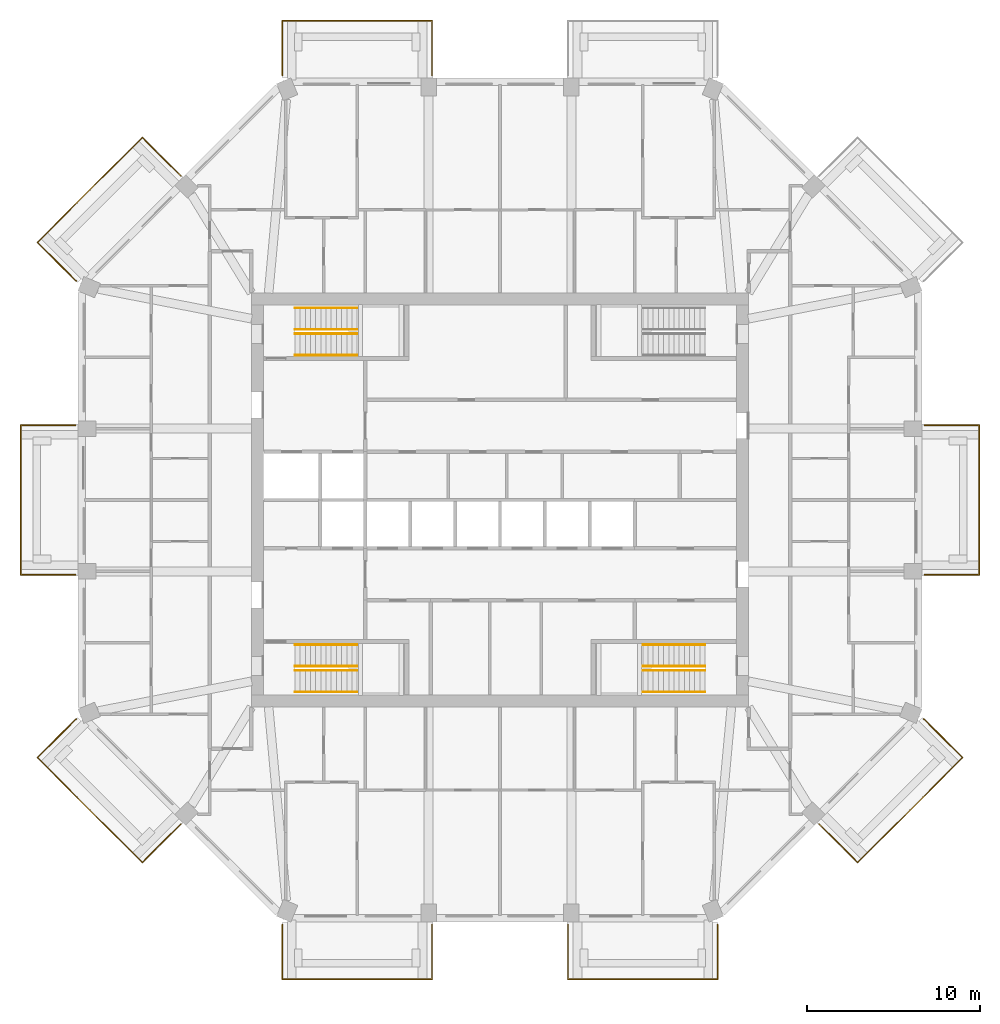
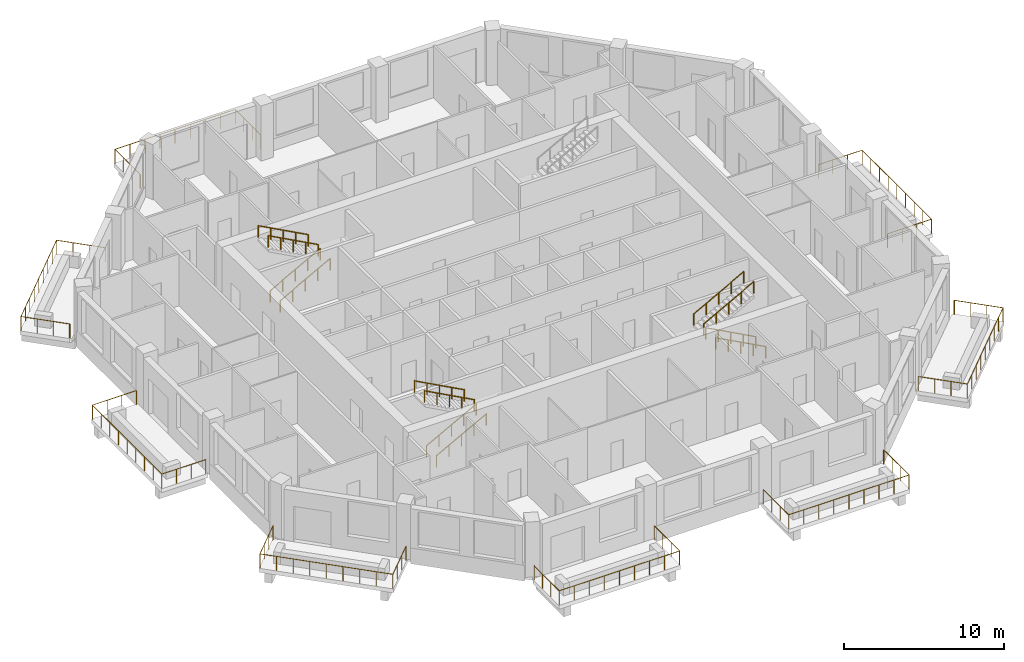
# One storey, part 11 of 12: 20 railings.
"""IFC4 building model written with IfcOpenShell, lengths in metres."""

from ifc_helpers import new_model, si_unit, direction, frame, origin, origin_2d, place, context, subcontext, project, spatial, circle, extrude, material, constituent, constituent_set, type_object, element, save


model = new_model("IFC4")

# Units and contexts
model_context = context("Model", 3, precision=1e-05, world=origin(), true_north=direction((0.0, 1.0)))
body_context = subcontext(model_context, "Body", "Model", "MODEL_VIEW")
ifc_project = project(units=[si_unit("LENGTHUNIT", "METRE"), si_unit("AREAUNIT", "SQUARE_METRE"), si_unit("VOLUMEUNIT", "CUBIC_METRE"), si_unit("PLANEANGLEUNIT", "RADIAN"), si_unit("MASSUNIT", "GRAM", prefix="KILO")], contexts=[model_context])

# Site, building, storey
site_placement = place(None, origin())
site = spatial("IfcSite", under=ifc_project, at=site_placement, CompositionType="ELEMENT")
building_placement = place(site_placement, origin())
building = spatial("IfcBuilding", under=site, at=building_placement, Name="Msitu Wima Residences", CompositionType="ELEMENT")
storey_placement = place(building_placement, frame((0.0, 0.0, 174.89990234375)))
storey = spatial("IfcBuildingStorey", under=building, at=storey_placement, Name="L40", CompositionType="ELEMENT", Elevation=174.89990234375)

# Railings
ifc_material_1 = material(Name="Steel S355", Category="steel")
ifc_constituent_1 = constituent(ifc_material_1, Name="Steel S355")
ifc_material_2 = material(Name="Weathering patina")
ifc_constituent_2 = constituent(ifc_material_2, Name="Weathering patina")
ifc_constituent_set_1 = constituent_set(constituents=[ifc_constituent_1, ifc_constituent_2], Name="Steel S355")
railing_type_1 = type_object("IfcRailingType", Name="Balcony guard GR1100", PredefinedType="GUARDRAIL", material=ifc_constituent_set_1)
railing_1_placement = place(storey_placement, frame((24.580078125, 4.337158203125, 0.0)))
element("IfcRailing", 1, at=railing_1_placement, inside=storey, type_object=railing_type_1, Name="Balcony guard E1 L40", PredefinedType="GUARDRAIL", context=body_context, shape_type="SweptSolid", body=[
    extrude(circle(Radius=0.02392578125, at=origin_2d()), frame((0.0, 0.0, 1.076171875), z_axis=(1.0, 0.0, 0.0), x_axis=(0.0, 1.0, 0.0)), (0.0, 0.0, 1.0), 3.169921875),
    extrude(circle(Radius=0.02392578125, at=origin_2d()), frame((3.169921875, 0.0, 1.076171875), z_axis=(0.0, -1.0, 0.0), x_axis=(1.0, 0.0, 0.0)), (0.0, 0.0, 1.0), 8.67431640625),
    extrude(circle(Radius=0.02392578125, at=origin_2d()), frame((3.169921875, -8.67431640625, 1.076171875), z_axis=(-1.0, 0.0, 0.0), x_axis=(0.0, -1.0, 0.0)), (0.0, 0.0, 1.0), 3.169921875),
    extrude(circle(Radius=0.02099609375, at=origin_2d()), origin(), (0.0, 0.0, 1.0), 1.052001953125),
    extrude(circle(Radius=0.02099609375, at=origin_2d()), frame((1.056640625, 0.0, 0.0)), (0.0, 0.0, 1.0), 1.052001953125),
    extrude(circle(Radius=0.02099609375, at=origin_2d()), frame((2.11328125, 0.0, 0.0)), (0.0, 0.0, 1.0), 1.052001953125),
    extrude(circle(Radius=0.02099609375, at=origin_2d()), frame((3.169921875, 0.0, 0.0)), (0.0, 0.0, 1.0), 1.052001953125),
    extrude(circle(Radius=0.02099609375, at=origin_2d()), frame((3.169921875, -1.084228515625, 0.0)), (0.0, 0.0, 1.0), 1.052001953125),
    extrude(circle(Radius=0.02099609375, at=origin_2d()), frame((3.169921875, -2.16845703125, 0.0)), (0.0, 0.0, 1.0), 1.052001953125),
    extrude(circle(Radius=0.02099609375, at=origin_2d()), frame((3.169921875, -3.2529296875, 0.0)), (0.0, 0.0, 1.0), 1.052001953125),
    extrude(circle(Radius=0.02099609375, at=origin_2d()), frame((3.169921875, -4.337158203125, 0.0)), (0.0, 0.0, 1.0), 1.052001953125),
    extrude(circle(Radius=0.02099609375, at=origin_2d()), frame((3.169921875, -5.42138671875, 0.0)), (0.0, 0.0, 1.0), 1.052001953125),
    extrude(circle(Radius=0.02099609375, at=origin_2d()), frame((3.169921875, -6.505859375, 0.0)), (0.0, 0.0, 1.0), 1.052001953125),
    extrude(circle(Radius=0.02099609375, at=origin_2d()), frame((3.169921875, -7.590087890625, 0.0)), (0.0, 0.0, 1.0), 1.052001953125),
    extrude(circle(Radius=0.02099609375, at=origin_2d()), frame((3.169921875, -8.67431640625, 0.0)), (0.0, 0.0, 1.0), 1.052001953125),
    extrude(circle(Radius=0.02099609375, at=origin_2d()), frame((2.11328125, -8.67431640625, 0.0)), (0.0, 0.0, 1.0), 1.052001953125),
    extrude(circle(Radius=0.02099609375, at=origin_2d()), frame((1.056640625, -8.67431640625, 0.0)), (0.0, 0.0, 1.0), 1.052001953125),
    extrude(circle(Radius=0.02099609375, at=origin_2d()), frame((0.0, -8.67431640625, 0.0)), (0.0, 0.0, 1.0), 1.052001953125),
])
railing_2_placement = place(storey_placement, frame((-12.597900390625, 24.580078125, 0.0)))
element("IfcRailing", 2, at=railing_2_placement, inside=storey, type_object=railing_type_1, Name="Balcony guard N2 L40", PredefinedType="GUARDRAIL", context=body_context, shape_type="SweptSolid", body=[
    extrude(circle(Radius=0.02392578125, at=origin_2d()), frame((0.0, 0.0, 1.076171875), z_axis=(-0.384136806859, 0.923276184907, 0.0), x_axis=(-0.923276184907, -0.384136806859, 0.0)), (0.0, 0.0, 1.0), 0.0361328125),
    extrude(circle(Radius=0.02392578125, at=origin_2d()), frame((-0.013916015625, 0.033447265625, 1.076171875), z_axis=(0.0, 1.0, 0.0), x_axis=(-1.0, 0.0, 0.0)), (0.0, 0.0, 1.0), 3.136474609375),
    extrude(circle(Radius=0.02392578125, at=origin_2d()), frame((-0.013916015625, 3.169921875, 1.076171875), z_axis=(1.0, 0.0, 0.0), x_axis=(0.0, 1.0, 0.0)), (0.0, 0.0, 1.0), 8.674560546875),
    extrude(circle(Radius=0.02392578125, at=origin_2d()), frame((8.66064453125, 3.169921875, 1.076171875), z_axis=(0.0, -1.0, 0.0), x_axis=(1.0, 0.0, 0.0)), (0.0, 0.0, 1.0), 3.169921875),
    extrude(circle(Radius=0.02099609375, at=origin_2d()), origin(), (0.0, 0.0, 1.0), 1.052001953125),
    extrude(circle(Radius=0.02099609375, at=origin_2d()), frame((-0.013916015625, 0.033447265625, 0.0)), (0.0, 0.0, 1.0), 1.052001953125),
    extrude(circle(Radius=0.02099609375, at=origin_2d()), frame((-0.013916015625, 1.078857421875, 0.0)), (0.0, 0.0, 1.0), 1.052001953125),
    extrude(circle(Radius=0.02099609375, at=origin_2d()), frame((-0.013916015625, 2.12451171875, 0.0)), (0.0, 0.0, 1.0), 1.052001953125),
    extrude(circle(Radius=0.02099609375, at=origin_2d()), frame((-0.013916015625, 3.169921875, 0.0)), (0.0, 0.0, 1.0), 1.052001953125),
    extrude(circle(Radius=0.02099609375, at=origin_2d()), frame((1.0703125, 3.169921875, 0.0)), (0.0, 0.0, 1.0), 1.052001953125),
    extrude(circle(Radius=0.02099609375, at=origin_2d()), frame((2.15478515625, 3.169921875, 0.0)), (0.0, 0.0, 1.0), 1.052001953125),
    extrude(circle(Radius=0.02099609375, at=origin_2d()), frame((3.239013671875, 3.169921875, 0.0)), (0.0, 0.0, 1.0), 1.052001953125),
    extrude(circle(Radius=0.02099609375, at=origin_2d()), frame((4.3232421875, 3.169921875, 0.0)), (0.0, 0.0, 1.0), 1.052001953125),
    extrude(circle(Radius=0.02099609375, at=origin_2d()), frame((5.40771484375, 3.169921875, 0.0)), (0.0, 0.0, 1.0), 1.052001953125),
    extrude(circle(Radius=0.02099609375, at=origin_2d()), frame((6.491943359375, 3.169921875, 0.0)), (0.0, 0.0, 1.0), 1.052001953125),
    extrude(circle(Radius=0.02099609375, at=origin_2d()), frame((7.576416015625, 3.169921875, 0.0)), (0.0, 0.0, 1.0), 1.052001953125),
    extrude(circle(Radius=0.02099609375, at=origin_2d()), frame((8.66064453125, 3.169921875, 0.0)), (0.0, 0.0, 1.0), 1.052001953125),
    extrude(circle(Radius=0.02099609375, at=origin_2d()), frame((8.66064453125, 2.11328125, 0.0)), (0.0, 0.0, 1.0), 1.052001953125),
    extrude(circle(Radius=0.02099609375, at=origin_2d()), frame((8.66064453125, 1.056640625, 0.0)), (0.0, 0.0, 1.0), 1.052001953125),
    extrude(circle(Radius=0.02099609375, at=origin_2d()), frame((8.66064453125, 0.0, 0.0)), (0.0, 0.0, 1.0), 1.052001953125),
])
railing_3_placement = place(storey_placement, frame((-24.541748046875, 12.690185546875, 0.0)))
element("IfcRailing", 3, at=railing_3_placement, inside=storey, type_object=railing_type_1, Name="Balcony guard NW1 L40", PredefinedType="GUARDRAIL", context=body_context, shape_type="SweptSolid", body=[
    extrude(circle(Radius=0.02392578125, at=origin_2d()), frame((0.0, 0.0, 1.076171875), z_axis=(-0.923276184907, 0.384136806859, 0.0), x_axis=(-0.384136806859, -0.923276184907, 0.0)), (0.0, 0.0, 1.0), 0.0361328125),
    extrude(circle(Radius=0.02392578125, at=origin_2d()), frame((-0.033447265625, 0.013916015625, 1.076171875), z_axis=(-0.707067861805, 0.707145698426, 0.0), x_axis=(-0.707145698426, -0.707067861805, 0.0)), (0.0, 0.0, 1.0), 3.136474609375),
    extrude(circle(Radius=0.02392578125, at=origin_2d()), frame((-2.251220703125, 2.23193359375, 1.076171875), z_axis=(0.707106781187, 0.707106781187, 0.0), x_axis=(-0.707106781187, 0.707106781187, 0.0)), (0.0, 0.0, 1.0), 8.593994140625),
    extrude(circle(Radius=0.02392578125, at=origin_2d()), frame((3.82568359375, 8.308837890625, 1.076171875), z_axis=(0.707068272989, -0.707145287287, 0.0), x_axis=(0.707145287287, 0.707068272989, 0.0)), (0.0, 0.0, 1.0), 3.170166015625),
    extrude(circle(Radius=0.02099609375, at=origin_2d()), origin(), (0.0, 0.0, 1.0), 1.052001953125),
    extrude(circle(Radius=0.02099609375, at=origin_2d()), frame((-0.033447265625, 0.013916015625, 0.0)), (0.0, 0.0, 1.0), 1.052001953125),
    extrude(circle(Radius=0.02099609375, at=origin_2d()), frame((-0.772705078125, 0.753173828125, 0.0)), (0.0, 0.0, 1.0), 1.052001953125),
    extrude(circle(Radius=0.02099609375, at=origin_2d()), frame((-1.511962890625, 1.49267578125, 0.0)), (0.0, 0.0, 1.0), 1.052001953125),
    extrude(circle(Radius=0.02099609375, at=origin_2d()), frame((-2.251220703125, 2.23193359375, 0.0)), (0.0, 0.0, 1.0), 1.052001953125),
    extrude(circle(Radius=0.02099609375, at=origin_2d()), frame((-1.49169921875, 2.991455078125, 0.0)), (0.0, 0.0, 1.0), 1.052001953125),
    extrude(circle(Radius=0.02099609375, at=origin_2d()), frame((-0.73193359375, 3.751220703125, 0.0)), (0.0, 0.0, 1.0), 1.052001953125),
    extrude(circle(Radius=0.02099609375, at=origin_2d()), frame((0.027587890625, 4.5107421875, 0.0)), (0.0, 0.0, 1.0), 1.052001953125),
    extrude(circle(Radius=0.02099609375, at=origin_2d()), frame((0.787109375, 5.2705078125, 0.0)), (0.0, 0.0, 1.0), 1.052001953125),
    extrude(circle(Radius=0.02099609375, at=origin_2d()), frame((1.546875, 6.030029296875, 0.0)), (0.0, 0.0, 1.0), 1.052001953125),
    extrude(circle(Radius=0.02099609375, at=origin_2d()), frame((2.306396484375, 6.78955078125, 0.0)), (0.0, 0.0, 1.0), 1.052001953125),
    extrude(circle(Radius=0.02099609375, at=origin_2d()), frame((3.066162109375, 7.54931640625, 0.0)), (0.0, 0.0, 1.0), 1.052001953125),
    extrude(circle(Radius=0.02099609375, at=origin_2d()), frame((3.82568359375, 8.308837890625, 0.0)), (0.0, 0.0, 1.0), 1.052001953125),
    extrude(circle(Radius=0.02099609375, at=origin_2d()), frame((4.57275390625, 7.5615234375, 0.0)), (0.0, 0.0, 1.0), 1.052001953125),
    extrude(circle(Radius=0.02099609375, at=origin_2d()), frame((5.320068359375, 6.814453125, 0.0)), (0.0, 0.0, 1.0), 1.052001953125),
    extrude(circle(Radius=0.02099609375, at=origin_2d()), frame((6.067138671875, 6.067138671875, 0.0)), (0.0, 0.0, 1.0), 1.052001953125),
])
railing_4_placement = place(storey_placement, frame((-24.580078125, -4.337158203125, 0.0)))
element("IfcRailing", 4, at=railing_4_placement, inside=storey, type_object=railing_type_1, Name="Balcony guard W1 L40", PredefinedType="GUARDRAIL", context=body_context, shape_type="SweptSolid", body=[
    extrude(circle(Radius=0.02392578125, at=origin_2d()), frame((0.0, 0.0, 1.076171875), z_axis=(-1.0, 0.0, 0.0), x_axis=(0.0, -1.0, 0.0)), (0.0, 0.0, 1.0), 3.169921875),
    extrude(circle(Radius=0.02392578125, at=origin_2d()), frame((-3.169921875, 0.0, 1.076171875), z_axis=(0.0, 1.0, 0.0), x_axis=(-1.0, 0.0, 0.0)), (0.0, 0.0, 1.0), 8.67431640625),
    extrude(circle(Radius=0.02392578125, at=origin_2d()), frame((-3.169921875, 8.67431640625, 1.076171875), z_axis=(1.0, 0.0, 0.0), x_axis=(0.0, 1.0, 0.0)), (0.0, 0.0, 1.0), 3.169921875),
    extrude(circle(Radius=0.02099609375, at=origin_2d()), origin(), (0.0, 0.0, 1.0), 1.052001953125),
    extrude(circle(Radius=0.02099609375, at=origin_2d()), frame((-1.056640625, 0.0, 0.0)), (0.0, 0.0, 1.0), 1.052001953125),
    extrude(circle(Radius=0.02099609375, at=origin_2d()), frame((-2.11328125, 0.0, 0.0)), (0.0, 0.0, 1.0), 1.052001953125),
    extrude(circle(Radius=0.02099609375, at=origin_2d()), frame((-3.169921875, 0.0, 0.0)), (0.0, 0.0, 1.0), 1.052001953125),
    extrude(circle(Radius=0.02099609375, at=origin_2d()), frame((-3.169921875, 1.084228515625, 0.0)), (0.0, 0.0, 1.0), 1.052001953125),
    extrude(circle(Radius=0.02099609375, at=origin_2d()), frame((-3.169921875, 2.16845703125, 0.0)), (0.0, 0.0, 1.0), 1.052001953125),
    extrude(circle(Radius=0.02099609375, at=origin_2d()), frame((-3.169921875, 3.2529296875, 0.0)), (0.0, 0.0, 1.0), 1.052001953125),
    extrude(circle(Radius=0.02099609375, at=origin_2d()), frame((-3.169921875, 4.337158203125, 0.0)), (0.0, 0.0, 1.0), 1.052001953125),
    extrude(circle(Radius=0.02099609375, at=origin_2d()), frame((-3.169921875, 5.42138671875, 0.0)), (0.0, 0.0, 1.0), 1.052001953125),
    extrude(circle(Radius=0.02099609375, at=origin_2d()), frame((-3.169921875, 6.505859375, 0.0)), (0.0, 0.0, 1.0), 1.052001953125),
    extrude(circle(Radius=0.02099609375, at=origin_2d()), frame((-3.169921875, 7.590087890625, 0.0)), (0.0, 0.0, 1.0), 1.052001953125),
    extrude(circle(Radius=0.02099609375, at=origin_2d()), frame((-3.169921875, 8.67431640625, 0.0)), (0.0, 0.0, 1.0), 1.052001953125),
    extrude(circle(Radius=0.02099609375, at=origin_2d()), frame((-2.11328125, 8.67431640625, 0.0)), (0.0, 0.0, 1.0), 1.052001953125),
    extrude(circle(Radius=0.02099609375, at=origin_2d()), frame((-1.056640625, 8.67431640625, 0.0)), (0.0, 0.0, 1.0), 1.052001953125),
    extrude(circle(Radius=0.02099609375, at=origin_2d()), frame((0.0, 8.67431640625, 0.0)), (0.0, 0.0, 1.0), 1.052001953125),
])
railing_5_placement = place(storey_placement, frame((-18.474609375, -18.75732421875, 0.0)))
element("IfcRailing", 5, at=railing_5_placement, inside=storey, type_object=railing_type_1, Name="Balcony guard SW0 L40", PredefinedType="GUARDRAIL", context=body_context, shape_type="SweptSolid", body=[
    extrude(circle(Radius=0.02392578125, at=origin_2d()), frame((0.0, 0.0, 1.076171875), z_axis=(-0.707068272989, -0.707145287287, 0.0), x_axis=(0.707145287287, -0.707068272989, 0.0)), (0.0, 0.0, 1.0), 3.170166015625),
    extrude(circle(Radius=0.02392578125, at=origin_2d()), frame((-2.241455078125, -2.24169921875, 1.076171875), z_axis=(-0.707106781187, 0.707106781187, 0.0), x_axis=(-0.707106781187, -0.707106781187, 0.0)), (0.0, 0.0, 1.0), 8.593994140625),
    extrude(circle(Radius=0.02392578125, at=origin_2d()), frame((-8.318359375, 3.835205078125, 1.076171875), z_axis=(0.707067861805, 0.707145698426, 0.0), x_axis=(-0.707145698426, 0.707067861805, 0.0)), (0.0, 0.0, 1.0), 3.136474609375),
    extrude(circle(Radius=0.02392578125, at=origin_2d()), frame((-6.1005859375, 6.05322265625, 1.076171875), z_axis=(0.923276184907, 0.384136806859, 0.0), x_axis=(-0.384136806859, 0.923276184907, 0.0)), (0.0, 0.0, 1.0), 0.0361328125),
    extrude(circle(Radius=0.02099609375, at=origin_2d()), origin(), (0.0, 0.0, 1.0), 1.052001953125),
    extrude(circle(Radius=0.02099609375, at=origin_2d()), frame((-0.7470703125, -0.747314453125, 0.0)), (0.0, 0.0, 1.0), 1.052001953125),
    extrude(circle(Radius=0.02099609375, at=origin_2d()), frame((-1.494384765625, -1.494384765625, 0.0)), (0.0, 0.0, 1.0), 1.052001953125),
    extrude(circle(Radius=0.02099609375, at=origin_2d()), frame((-2.241455078125, -2.24169921875, 0.0)), (0.0, 0.0, 1.0), 1.052001953125),
    extrude(circle(Radius=0.02099609375, at=origin_2d()), frame((-3.0009765625, -1.482177734375, 0.0)), (0.0, 0.0, 1.0), 1.052001953125),
    extrude(circle(Radius=0.02099609375, at=origin_2d()), frame((-3.7607421875, -0.722412109375, 0.0)), (0.0, 0.0, 1.0), 1.052001953125),
    extrude(circle(Radius=0.02099609375, at=origin_2d()), frame((-4.520263671875, 0.037109375, 0.0)), (0.0, 0.0, 1.0), 1.052001953125),
    extrude(circle(Radius=0.02099609375, at=origin_2d()), frame((-5.27978515625, 0.796875, 0.0)), (0.0, 0.0, 1.0), 1.052001953125),
    extrude(circle(Radius=0.02099609375, at=origin_2d()), frame((-6.03955078125, 1.556396484375, 0.0)), (0.0, 0.0, 1.0), 1.052001953125),
    extrude(circle(Radius=0.02099609375, at=origin_2d()), frame((-6.799072265625, 2.31591796875, 0.0)), (0.0, 0.0, 1.0), 1.052001953125),
    extrude(circle(Radius=0.02099609375, at=origin_2d()), frame((-7.558837890625, 3.07568359375, 0.0)), (0.0, 0.0, 1.0), 1.052001953125),
    extrude(circle(Radius=0.02099609375, at=origin_2d()), frame((-8.318359375, 3.835205078125, 0.0)), (0.0, 0.0, 1.0), 1.052001953125),
    extrude(circle(Radius=0.02099609375, at=origin_2d()), frame((-7.5791015625, 4.574462890625, 0.0)), (0.0, 0.0, 1.0), 1.052001953125),
    extrude(circle(Radius=0.02099609375, at=origin_2d()), frame((-6.83984375, 5.31396484375, 0.0)), (0.0, 0.0, 1.0), 1.052001953125),
    extrude(circle(Radius=0.02099609375, at=origin_2d()), frame((-6.1005859375, 6.05322265625, 0.0)), (0.0, 0.0, 1.0), 1.052001953125),
    extrude(circle(Radius=0.02099609375, at=origin_2d()), frame((-6.067138671875, 6.067138671875, 0.0)), (0.0, 0.0, 1.0), 1.052001953125),
])
railing_6_placement = place(storey_placement, frame((-3.937255859375, -24.580078125, 0.0)))
element("IfcRailing", 6, at=railing_6_placement, inside=storey, type_object=railing_type_1, Name="Balcony guard S0 L40", PredefinedType="GUARDRAIL", context=body_context, shape_type="SweptSolid", body=[
    extrude(circle(Radius=0.02392578125, at=origin_2d()), frame((0.0, 0.0, 1.076171875), z_axis=(0.0, -1.0, 0.0), x_axis=(1.0, 0.0, 0.0)), (0.0, 0.0, 1.0), 3.169921875),
    extrude(circle(Radius=0.02392578125, at=origin_2d()), frame((0.0, -3.169921875, 1.076171875), z_axis=(-1.0, 0.0, 0.0), x_axis=(0.0, -1.0, 0.0)), (0.0, 0.0, 1.0), 8.674560546875),
    extrude(circle(Radius=0.02392578125, at=origin_2d()), frame((-8.674560546875, -3.169921875, 1.076171875), z_axis=(0.0, 1.0, 0.0), x_axis=(-1.0, 0.0, 0.0)), (0.0, 0.0, 1.0), 3.136474609375),
    extrude(circle(Radius=0.02392578125, at=origin_2d()), frame((-8.674560546875, -0.033447265625, 1.076171875), z_axis=(0.384136806859, 0.923276184907, 0.0), x_axis=(-0.923276184907, 0.384136806859, 0.0)), (0.0, 0.0, 1.0), 0.0361328125),
    extrude(circle(Radius=0.02099609375, at=origin_2d()), origin(), (0.0, 0.0, 1.0), 1.052001953125),
    extrude(circle(Radius=0.02099609375, at=origin_2d()), frame((0.0, -1.056640625, 0.0)), (0.0, 0.0, 1.0), 1.052001953125),
    extrude(circle(Radius=0.02099609375, at=origin_2d()), frame((0.0, -2.11328125, 0.0)), (0.0, 0.0, 1.0), 1.052001953125),
    extrude(circle(Radius=0.02099609375, at=origin_2d()), frame((0.0, -3.169921875, 0.0)), (0.0, 0.0, 1.0), 1.052001953125),
    extrude(circle(Radius=0.02099609375, at=origin_2d()), frame((-1.084228515625, -3.169921875, 0.0)), (0.0, 0.0, 1.0), 1.052001953125),
    extrude(circle(Radius=0.02099609375, at=origin_2d()), frame((-2.168701171875, -3.169921875, 0.0)), (0.0, 0.0, 1.0), 1.052001953125),
    extrude(circle(Radius=0.02099609375, at=origin_2d()), frame((-3.2529296875, -3.169921875, 0.0)), (0.0, 0.0, 1.0), 1.052001953125),
    extrude(circle(Radius=0.02099609375, at=origin_2d()), frame((-4.33740234375, -3.169921875, 0.0)), (0.0, 0.0, 1.0), 1.052001953125),
    extrude(circle(Radius=0.02099609375, at=origin_2d()), frame((-5.421630859375, -3.169921875, 0.0)), (0.0, 0.0, 1.0), 1.052001953125),
    extrude(circle(Radius=0.02099609375, at=origin_2d()), frame((-6.505859375, -3.169921875, 0.0)), (0.0, 0.0, 1.0), 1.052001953125),
    extrude(circle(Radius=0.02099609375, at=origin_2d()), frame((-7.59033203125, -3.169921875, 0.0)), (0.0, 0.0, 1.0), 1.052001953125),
    extrude(circle(Radius=0.02099609375, at=origin_2d()), frame((-8.674560546875, -3.169921875, 0.0)), (0.0, 0.0, 1.0), 1.052001953125),
    extrude(circle(Radius=0.02099609375, at=origin_2d()), frame((-8.674560546875, -2.12451171875, 0.0)), (0.0, 0.0, 1.0), 1.052001953125),
    extrude(circle(Radius=0.02099609375, at=origin_2d()), frame((-8.674560546875, -1.078857421875, 0.0)), (0.0, 0.0, 1.0), 1.052001953125),
    extrude(circle(Radius=0.02099609375, at=origin_2d()), frame((-8.674560546875, -0.033447265625, 0.0)), (0.0, 0.0, 1.0), 1.052001953125),
    extrude(circle(Radius=0.02099609375, at=origin_2d()), frame((-8.66064453125, 0.0, 0.0)), (0.0, 0.0, 1.0), 1.052001953125),
])
railing_7_placement = place(storey_placement, frame((12.597900390625, -24.580078125, 0.0)))
element("IfcRailing", 7, at=railing_7_placement, inside=storey, type_object=railing_type_1, Name="Balcony guard S2 L40", PredefinedType="GUARDRAIL", context=body_context, shape_type="SweptSolid", body=[
    extrude(circle(Radius=0.02392578125, at=origin_2d()), frame((0.0, 0.0, 1.076171875), z_axis=(0.384136806859, -0.923276184907, 0.0), x_axis=(0.923276184907, 0.384136806859, 0.0)), (0.0, 0.0, 1.0), 0.0361328125),
    extrude(circle(Radius=0.02392578125, at=origin_2d()), frame((0.013916015625, -0.033447265625, 1.076171875), z_axis=(0.0, -1.0, 0.0), x_axis=(1.0, 0.0, 0.0)), (0.0, 0.0, 1.0), 3.136474609375),
    extrude(circle(Radius=0.02392578125, at=origin_2d()), frame((0.013916015625, -3.169921875, 1.076171875), z_axis=(-1.0, 0.0, 0.0), x_axis=(0.0, -1.0, 0.0)), (0.0, 0.0, 1.0), 8.674560546875),
    extrude(circle(Radius=0.02392578125, at=origin_2d()), frame((-8.66064453125, -3.169921875, 1.076171875), z_axis=(0.0, 1.0, 0.0), x_axis=(-1.0, 0.0, 0.0)), (0.0, 0.0, 1.0), 3.169921875),
    extrude(circle(Radius=0.02099609375, at=origin_2d()), origin(), (0.0, 0.0, 1.0), 1.052001953125),
    extrude(circle(Radius=0.02099609375, at=origin_2d()), frame((0.013916015625, -0.033447265625, 0.0)), (0.0, 0.0, 1.0), 1.052001953125),
    extrude(circle(Radius=0.02099609375, at=origin_2d()), frame((0.013916015625, -1.078857421875, 0.0)), (0.0, 0.0, 1.0), 1.052001953125),
    extrude(circle(Radius=0.02099609375, at=origin_2d()), frame((0.013916015625, -2.12451171875, 0.0)), (0.0, 0.0, 1.0), 1.052001953125),
    extrude(circle(Radius=0.02099609375, at=origin_2d()), frame((0.013916015625, -3.169921875, 0.0)), (0.0, 0.0, 1.0), 1.052001953125),
    extrude(circle(Radius=0.02099609375, at=origin_2d()), frame((-1.0703125, -3.169921875, 0.0)), (0.0, 0.0, 1.0), 1.052001953125),
    extrude(circle(Radius=0.02099609375, at=origin_2d()), frame((-2.15478515625, -3.169921875, 0.0)), (0.0, 0.0, 1.0), 1.052001953125),
    extrude(circle(Radius=0.02099609375, at=origin_2d()), frame((-3.239013671875, -3.169921875, 0.0)), (0.0, 0.0, 1.0), 1.052001953125),
    extrude(circle(Radius=0.02099609375, at=origin_2d()), frame((-4.3232421875, -3.169921875, 0.0)), (0.0, 0.0, 1.0), 1.052001953125),
    extrude(circle(Radius=0.02099609375, at=origin_2d()), frame((-5.40771484375, -3.169921875, 0.0)), (0.0, 0.0, 1.0), 1.052001953125),
    extrude(circle(Radius=0.02099609375, at=origin_2d()), frame((-6.491943359375, -3.169921875, 0.0)), (0.0, 0.0, 1.0), 1.052001953125),
    extrude(circle(Radius=0.02099609375, at=origin_2d()), frame((-7.576416015625, -3.169921875, 0.0)), (0.0, 0.0, 1.0), 1.052001953125),
    extrude(circle(Radius=0.02099609375, at=origin_2d()), frame((-8.66064453125, -3.169921875, 0.0)), (0.0, 0.0, 1.0), 1.052001953125),
    extrude(circle(Radius=0.02099609375, at=origin_2d()), frame((-8.66064453125, -2.11328125, 0.0)), (0.0, 0.0, 1.0), 1.052001953125),
    extrude(circle(Radius=0.02099609375, at=origin_2d()), frame((-8.66064453125, -1.056640625, 0.0)), (0.0, 0.0, 1.0), 1.052001953125),
    extrude(circle(Radius=0.02099609375, at=origin_2d()), frame((-8.66064453125, 0.0, 0.0)), (0.0, 0.0, 1.0), 1.052001953125),
])
railing_8_placement = place(storey_placement, frame((24.541748046875, -12.690185546875, 0.0)))
element("IfcRailing", 8, at=railing_8_placement, inside=storey, type_object=railing_type_1, Name="Balcony guard SE1 L40", PredefinedType="GUARDRAIL", context=body_context, shape_type="SweptSolid", body=[
    extrude(circle(Radius=0.02392578125, at=origin_2d()), frame((0.0, 0.0, 1.076171875), z_axis=(0.923276184907, -0.384136806859, 0.0), x_axis=(0.384136806859, 0.923276184907, 0.0)), (0.0, 0.0, 1.0), 0.0361328125),
    extrude(circle(Radius=0.02392578125, at=origin_2d()), frame((0.033447265625, -0.013916015625, 1.076171875), z_axis=(0.707067861805, -0.707145698426, 0.0), x_axis=(0.707145698426, 0.707067861805, 0.0)), (0.0, 0.0, 1.0), 3.136474609375),
    extrude(circle(Radius=0.02392578125, at=origin_2d()), frame((2.251220703125, -2.23193359375, 1.076171875), z_axis=(-0.707106781187, -0.707106781187, 0.0), x_axis=(0.707106781187, -0.707106781187, 0.0)), (0.0, 0.0, 1.0), 8.593994140625),
    extrude(circle(Radius=0.02392578125, at=origin_2d()), frame((-3.82568359375, -8.308837890625, 1.076171875), z_axis=(-0.707068272989, 0.707145287287, 0.0), x_axis=(-0.707145287287, -0.707068272989, 0.0)), (0.0, 0.0, 1.0), 3.170166015625),
    extrude(circle(Radius=0.02099609375, at=origin_2d()), origin(), (0.0, 0.0, 1.0), 1.052001953125),
    extrude(circle(Radius=0.02099609375, at=origin_2d()), frame((0.033447265625, -0.013916015625, 0.0)), (0.0, 0.0, 1.0), 1.052001953125),
    extrude(circle(Radius=0.02099609375, at=origin_2d()), frame((0.772705078125, -0.753173828125, 0.0)), (0.0, 0.0, 1.0), 1.052001953125),
    extrude(circle(Radius=0.02099609375, at=origin_2d()), frame((1.511962890625, -1.49267578125, 0.0)), (0.0, 0.0, 1.0), 1.052001953125),
    extrude(circle(Radius=0.02099609375, at=origin_2d()), frame((2.251220703125, -2.23193359375, 0.0)), (0.0, 0.0, 1.0), 1.052001953125),
    extrude(circle(Radius=0.02099609375, at=origin_2d()), frame((1.49169921875, -2.991455078125, 0.0)), (0.0, 0.0, 1.0), 1.052001953125),
    extrude(circle(Radius=0.02099609375, at=origin_2d()), frame((0.73193359375, -3.751220703125, 0.0)), (0.0, 0.0, 1.0), 1.052001953125),
    extrude(circle(Radius=0.02099609375, at=origin_2d()), frame((-0.027587890625, -4.5107421875, 0.0)), (0.0, 0.0, 1.0), 1.052001953125),
    extrude(circle(Radius=0.02099609375, at=origin_2d()), frame((-0.787109375, -5.2705078125, 0.0)), (0.0, 0.0, 1.0), 1.052001953125),
    extrude(circle(Radius=0.02099609375, at=origin_2d()), frame((-1.546875, -6.030029296875, 0.0)), (0.0, 0.0, 1.0), 1.052001953125),
    extrude(circle(Radius=0.02099609375, at=origin_2d()), frame((-2.306396484375, -6.78955078125, 0.0)), (0.0, 0.0, 1.0), 1.052001953125),
    extrude(circle(Radius=0.02099609375, at=origin_2d()), frame((-3.066162109375, -7.54931640625, 0.0)), (0.0, 0.0, 1.0), 1.052001953125),
    extrude(circle(Radius=0.02099609375, at=origin_2d()), frame((-3.82568359375, -8.308837890625, 0.0)), (0.0, 0.0, 1.0), 1.052001953125),
    extrude(circle(Radius=0.02099609375, at=origin_2d()), frame((-4.57275390625, -7.5615234375, 0.0)), (0.0, 0.0, 1.0), 1.052001953125),
    extrude(circle(Radius=0.02099609375, at=origin_2d()), frame((-5.320068359375, -6.814453125, 0.0)), (0.0, 0.0, 1.0), 1.052001953125),
    extrude(circle(Radius=0.02099609375, at=origin_2d()), frame((-6.067138671875, -6.067138671875, 0.0)), (0.0, 0.0, 1.0), 1.052001953125),
])
ifc_constituent_3 = constituent(ifc_material_1, Name="Steel S355")
ifc_material_3 = material(Name="Black powder coating")
ifc_constituent_4 = constituent(ifc_material_3, Name="Black powder coating")
ifc_constituent_set_2 = constituent_set(constituents=[ifc_constituent_3, ifc_constituent_4], Name="Steel S355")
railing_type_2 = type_object("IfcRailingType", Name="Stair handrail HR1", PredefinedType="HANDRAIL", material=ifc_constituent_set_2)
for number, where, name in (
    (9, (-11.875, 8.375, 0.16162109375), "Stair 1 handrail"),
    (10, (-11.875, 9.625, 0.16162109375), "Stair 1 handrail"),
):
    element("IfcRailing", number, at=place(storey_placement, frame(where)), inside=storey, type_object=railing_type_2, Name=name, PredefinedType="HANDRAIL", context=body_context, shape_type="SweptSolid", body=[
        extrude(circle(Radius=0.02392578125, at=origin_2d()), frame((0.0, 0.0, 0.8759765625), z_axis=(0.880474934443, 0.0, 0.474092701714), x_axis=(0.0, 1.0, 0.0)), (0.0, 0.0, 1.0), 4.0888671875),
        extrude(circle(Radius=0.02099609375, at=origin_2d()), origin(), (0.0, 0.0, 1.0), 0.851806640625),
        extrude(circle(Radius=0.02099609375, at=origin_2d()), frame((0.89990234375, 0.0, 0.484619140625)), (0.0, 0.0, 1.0), 0.851806640625),
        extrude(circle(Radius=0.02099609375, at=origin_2d()), frame((1.800048828125, 0.0, 0.96923828125)), (0.0, 0.0, 1.0), 0.851806640625),
        extrude(circle(Radius=0.02099609375, at=origin_2d()), frame((2.7001953125, 0.0, 1.453857421875)), (0.0, 0.0, 1.0), 0.851806640625),
        extrude(circle(Radius=0.02099609375, at=origin_2d()), frame((3.60009765625, 0.0, 1.9384765625)), (0.0, 0.0, 1.0), 0.851806640625),
    ])
for number, where, name in (
    (11, (-8.27490234375, 9.875, 2.26171875), "Stair 1 handrail"),
    (12, (-8.27490234375, 11.125, 2.26171875), "Stair 1 handrail"),
):
    element("IfcRailing", number, at=place(storey_placement, frame(where)), inside=storey, type_object=railing_type_2, Name=name, PredefinedType="HANDRAIL", context=body_context, shape_type="SweptSolid", body=[
        extrude(circle(Radius=0.02392578125, at=origin_2d()), frame((0.0, 0.0, 0.8759765625), z_axis=(-0.880474934443, 0.0, 0.474092701714), x_axis=(0.0, -1.0, 0.0)), (0.0, 0.0, 1.0), 4.0888671875),
        extrude(circle(Radius=0.02099609375, at=origin_2d()), origin(), (0.0, 0.0, 1.0), 0.851806640625),
        extrude(circle(Radius=0.02099609375, at=origin_2d()), frame((-0.89990234375, 0.0, 0.484619140625)), (0.0, 0.0, 1.0), 0.851806640625),
        extrude(circle(Radius=0.02099609375, at=origin_2d()), frame((-1.800048828125, 0.0, 0.96923828125)), (0.0, 0.0, 1.0), 0.851806640625),
        extrude(circle(Radius=0.02099609375, at=origin_2d()), frame((-2.7001953125, 0.0, 1.453857421875)), (0.0, 0.0, 1.0), 0.851806640625),
        extrude(circle(Radius=0.02099609375, at=origin_2d()), frame((-3.60009765625, 0.0, 1.9384765625)), (0.0, 0.0, 1.0), 0.851806640625),
    ])
for number, where, name in (
    (13, (-11.875, -11.125, 0.16162109375), "Stair 2 handrail"),
    (14, (-11.875, -9.875, 0.16162109375), "Stair 2 handrail"),
):
    element("IfcRailing", number, at=place(storey_placement, frame(where)), inside=storey, type_object=railing_type_2, Name=name, PredefinedType="HANDRAIL", context=body_context, shape_type="SweptSolid", body=[
        extrude(circle(Radius=0.02392578125, at=origin_2d()), frame((0.0, 0.0, 0.8759765625), z_axis=(0.880474934443, 0.0, 0.474092701714), x_axis=(0.0, 1.0, 0.0)), (0.0, 0.0, 1.0), 4.0888671875),
        extrude(circle(Radius=0.02099609375, at=origin_2d()), origin(), (0.0, 0.0, 1.0), 0.851806640625),
        extrude(circle(Radius=0.02099609375, at=origin_2d()), frame((0.89990234375, 0.0, 0.484619140625)), (0.0, 0.0, 1.0), 0.851806640625),
        extrude(circle(Radius=0.02099609375, at=origin_2d()), frame((1.800048828125, 0.0, 0.96923828125)), (0.0, 0.0, 1.0), 0.851806640625),
        extrude(circle(Radius=0.02099609375, at=origin_2d()), frame((2.7001953125, 0.0, 1.453857421875)), (0.0, 0.0, 1.0), 0.851806640625),
        extrude(circle(Radius=0.02099609375, at=origin_2d()), frame((3.60009765625, 0.0, 1.9384765625)), (0.0, 0.0, 1.0), 0.851806640625),
    ])
for number, where, name in (
    (15, (-8.27490234375, -9.625, 2.26171875), "Stair 2 handrail"),
    (16, (-8.27490234375, -8.375, 2.26171875), "Stair 2 handrail"),
    (17, (11.875, -11.125, 0.16162109375), "Stair 4 handrail"),
    (18, (11.875, -9.875, 0.16162109375), "Stair 4 handrail"),
):
    element("IfcRailing", number, at=place(storey_placement, frame(where)), inside=storey, type_object=railing_type_2, Name=name, PredefinedType="HANDRAIL", context=body_context, shape_type="SweptSolid", body=[
        extrude(circle(Radius=0.02392578125, at=origin_2d()), frame((0.0, 0.0, 0.8759765625), z_axis=(-0.880474934443, 0.0, 0.474092701714), x_axis=(0.0, -1.0, 0.0)), (0.0, 0.0, 1.0), 4.0888671875),
        extrude(circle(Radius=0.02099609375, at=origin_2d()), origin(), (0.0, 0.0, 1.0), 0.851806640625),
        extrude(circle(Radius=0.02099609375, at=origin_2d()), frame((-0.89990234375, 0.0, 0.484619140625)), (0.0, 0.0, 1.0), 0.851806640625),
        extrude(circle(Radius=0.02099609375, at=origin_2d()), frame((-1.800048828125, 0.0, 0.96923828125)), (0.0, 0.0, 1.0), 0.851806640625),
        extrude(circle(Radius=0.02099609375, at=origin_2d()), frame((-2.7001953125, 0.0, 1.453857421875)), (0.0, 0.0, 1.0), 0.851806640625),
        extrude(circle(Radius=0.02099609375, at=origin_2d()), frame((-3.60009765625, 0.0, 1.9384765625)), (0.0, 0.0, 1.0), 0.851806640625),
    ])
for number, where, name in (
    (19, (8.27490234375, -9.625, 2.26171875), "Stair 4 handrail"),
    (20, (8.27490234375, -8.375, 2.26171875), "Stair 4 handrail"),
):
    element("IfcRailing", number, at=place(storey_placement, frame(where)), inside=storey, type_object=railing_type_2, Name=name, PredefinedType="HANDRAIL", context=body_context, shape_type="SweptSolid", body=[
        extrude(circle(Radius=0.02392578125, at=origin_2d()), frame((0.0, 0.0, 0.8759765625), z_axis=(0.880474934443, 0.0, 0.474092701714), x_axis=(0.0, 1.0, 0.0)), (0.0, 0.0, 1.0), 4.0888671875),
        extrude(circle(Radius=0.02099609375, at=origin_2d()), origin(), (0.0, 0.0, 1.0), 0.851806640625),
        extrude(circle(Radius=0.02099609375, at=origin_2d()), frame((0.89990234375, 0.0, 0.484619140625)), (0.0, 0.0, 1.0), 0.851806640625),
        extrude(circle(Radius=0.02099609375, at=origin_2d()), frame((1.800048828125, 0.0, 0.96923828125)), (0.0, 0.0, 1.0), 0.851806640625),
        extrude(circle(Radius=0.02099609375, at=origin_2d()), frame((2.7001953125, 0.0, 1.453857421875)), (0.0, 0.0, 1.0), 0.851806640625),
        extrude(circle(Radius=0.02099609375, at=origin_2d()), frame((3.60009765625, 0.0, 1.9384765625)), (0.0, 0.0, 1.0), 0.851806640625),
    ])

save(model, "model.ifc")
